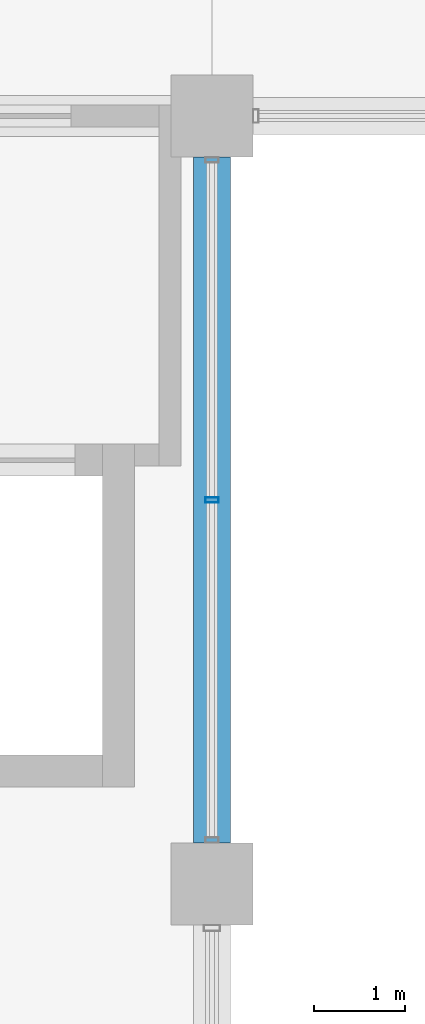
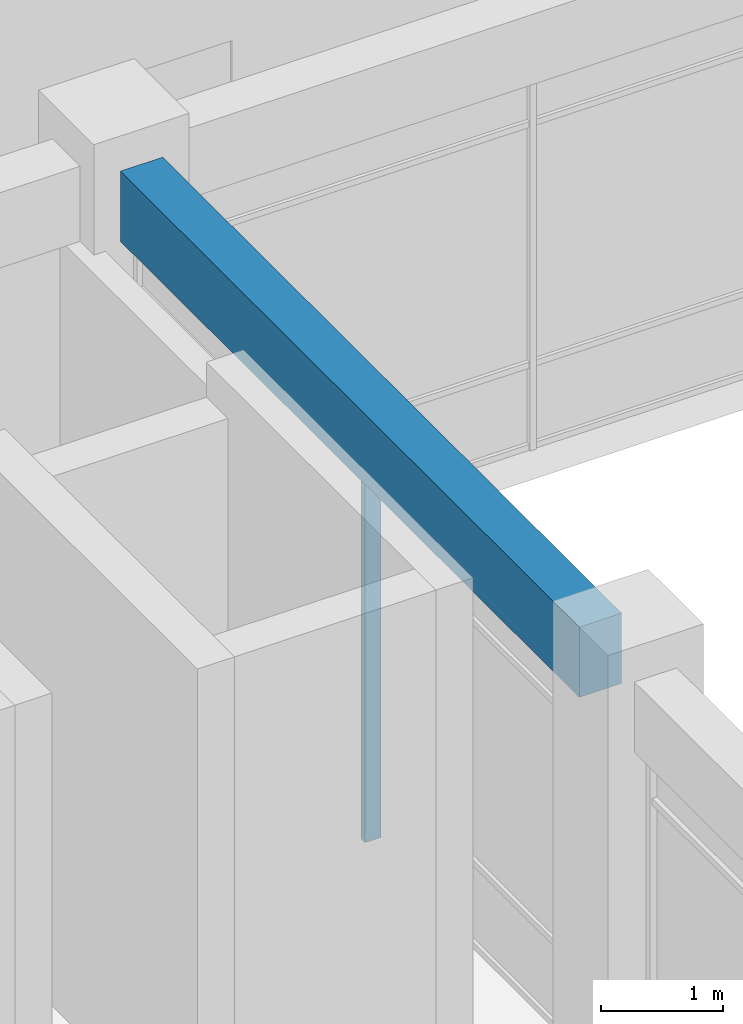
# One storey, part 8 of 79: 1 beam, 1 member, 1 element without a shape of its own.
"""IFC4 building model written with IfcOpenShell, lengths in metres."""

from ifc_helpers import new_model, si_unit, direction, frame, origin, origin_2d, place, context, subcontext, project, spatial, rectangle, hollow_rectangle, extrude, material, material_profile, profile_set, type_object, element, aggregate, save


model = new_model("IFC4")

# Units and contexts
model_context = context("Model", 3, precision=1e-05, world=origin(), true_north=direction((0.0, 1.0)))
body_context = subcontext(model_context, "Body", "Model", "MODEL_VIEW")
ifc_project = project(units=[si_unit("LENGTHUNIT", "METRE"), si_unit("AREAUNIT", "SQUARE_METRE"), si_unit("VOLUMEUNIT", "CUBIC_METRE"), si_unit("PLANEANGLEUNIT", "RADIAN"), si_unit("MASSUNIT", "GRAM", prefix="KILO"), si_unit("THERMODYNAMICTEMPERATUREUNIT", "KELVIN"), si_unit("POWERUNIT", "WATT")], contexts=[model_context])

# Site, building, storey
site_placement = place(None, origin())
site = spatial("IfcSite", under=ifc_project, at=site_placement, CompositionType="ELEMENT")
building_placement = place(site_placement, origin())
building = spatial("IfcBuilding", under=site, at=building_placement, Name="Srebrne Nadtorze General Hospital", CompositionType="ELEMENT")
storey_placement = place(building_placement, frame((0.0, 0.0, 4.800048828125)))
storey = spatial("IfcBuildingStorey", under=building, at=storey_placement, Name="L01", CompositionType="ELEMENT", Elevation=4.800048828125)

# Curtain wall, member
ifc_material_1 = material(Name="Anodised Aluminium", Category="aluminium")
curtain_wall_type = type_object("IfcCurtainWallType", Name="Unitised curtain wall 7500x3750", PredefinedType="NOTDEFINED", material=ifc_material_1)
curtain_wall_placement = place(storey_placement, origin())
curtain_wall = element("IfcCurtainWall", 1, at=curtain_wall_placement, inside=storey, type_object=curtain_wall_type, Name="Curtain wall CW-058", PredefinedType="NOTDEFINED")
ifc_material_2 = material(Name="Anodised Aluminium", Category="aluminium")
ifc_material_profile_1 = material_profile(ifc_material_2, hollow_rectangle(XDim=0.06005859375, YDim=0.14990234375, WallThickness=0.00390625, at=origin_2d()), Name="AL-MUL-60x150")
ifc_profile_set_1 = profile_set([ifc_material_profile_1], Name="Anodised Aluminium")
member_type = type_object("IfcMemberType", Name="Curtain mullion 60x150", PredefinedType="MULLION", material=ifc_profile_set_1)
member_placement = place(storey_placement, frame((54.60009765625, 46.199951171875, 0.0), z_axis=(0.0, 0.0, 1.0), x_axis=(0.0, 1.0, 0.0)))
member = element("IfcMember", 2, at=member_placement, type_object=member_type, Name="CW-058 mullion 2", PredefinedType="MULLION", context=body_context, shape_type="SweptSolid", body=[
    extrude(hollow_rectangle(XDim=0.06005859375, YDim=0.14990234375, WallThickness=0.00390625, at=origin_2d()), origin(), (0.0, 0.0, 1.0), 3.75),
])
aggregate(curtain_wall, [member])

# Beam
ifc_material_3 = material(Name="Concrete C40/50", Category="concrete")
ifc_material_profile_2 = material_profile(ifc_material_3, rectangle(XDim=0.39990234375, YDim=0.699951171875, at=origin_2d()), Name="RC-BM-400x700")
ifc_profile_set_2 = profile_set([ifc_material_profile_2], Name="Concrete C40/50")
beam_type = type_object("IfcBeamType", Name="Edge beam RC 400x700", PredefinedType="BEAM", material=ifc_profile_set_2)
beam_placement = place(storey_placement, frame((54.60009765625, 42.449951171875, 4.099853515625), z_axis=(0.0, 1.0, 0.0), x_axis=(-1.0, 0.0, 0.0)))
element("IfcBeam", 3, at=beam_placement, inside=storey, type_object=beam_type, Name="Beam BM-L01-Y-0495", PredefinedType="BEAM", context=body_context, shape_type="SweptSolid", body=[
    extrude(rectangle(XDim=0.39990234375, YDim=0.699951171875, at=origin_2d()), origin(), (0.0, 0.0, 1.0), 7.5),
])

save(model, "model.ifc")
